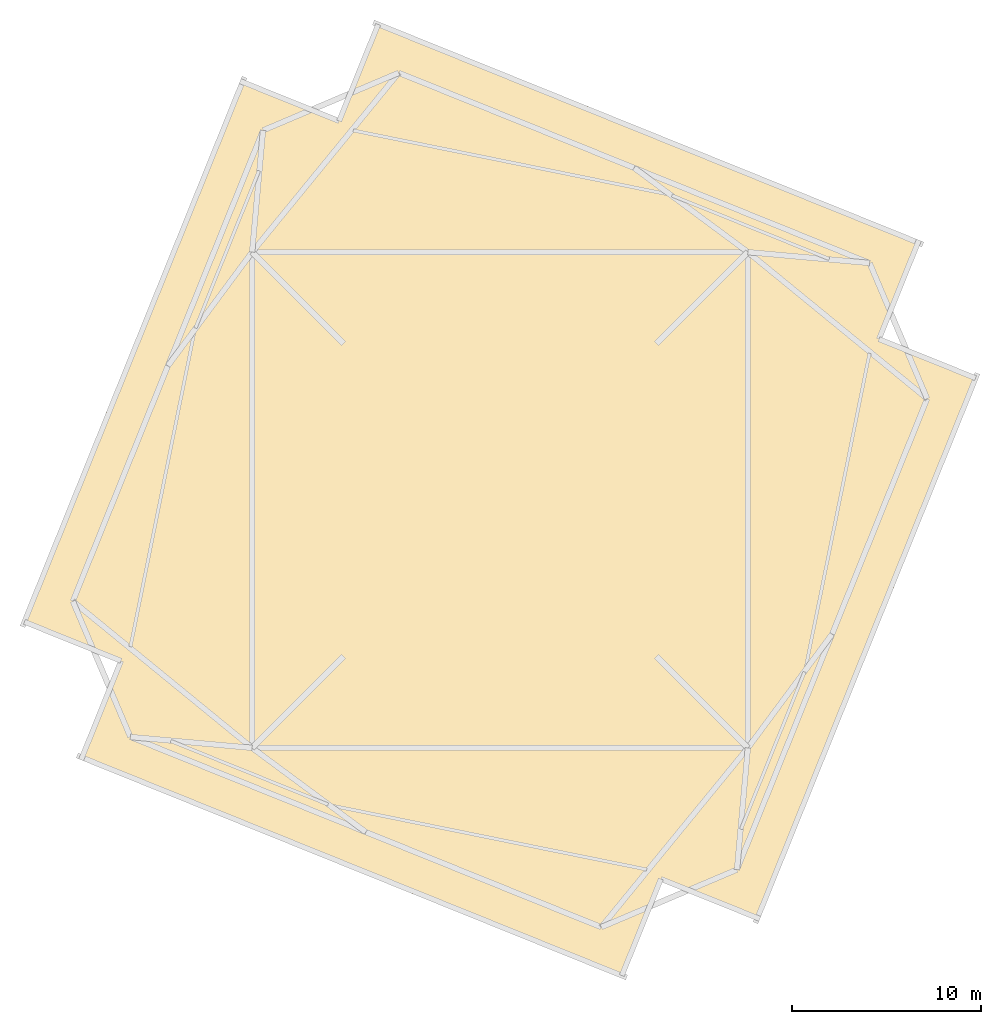
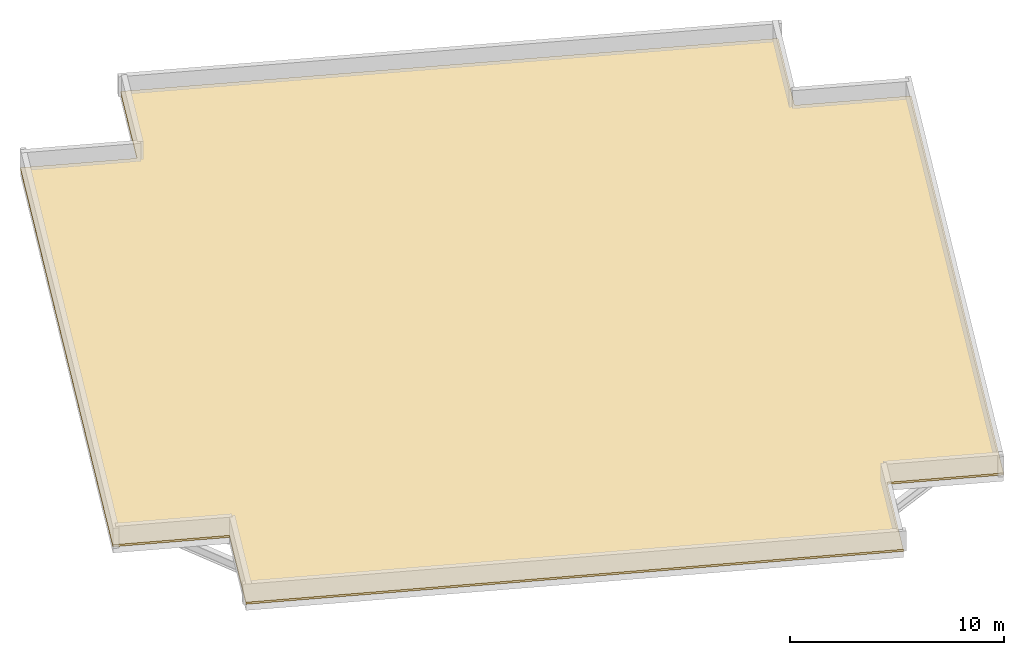
# One storey, part 2 of 2: 1 covering.
"""IFC4 building model written with IfcOpenShell, lengths in metres."""

from ifc_helpers import new_model, si_unit, direction, frame, origin, place, context, subcontext, project, spatial, polyline, outline, extrude, material, layer, layer_set, type_object, element, save


model = new_model("IFC4")

# Units and contexts
model_context = context("Model", 3, precision=1e-05, world=origin(), true_north=direction((0.0, 1.0)))
body_context = subcontext(model_context, "Body", "Model", "MODEL_VIEW")
ifc_project = project(units=[si_unit("LENGTHUNIT", "METRE"), si_unit("AREAUNIT", "SQUARE_METRE"), si_unit("VOLUMEUNIT", "CUBIC_METRE"), si_unit("PLANEANGLEUNIT", "RADIAN"), si_unit("MASSUNIT", "GRAM", prefix="KILO"), si_unit("THERMODYNAMICTEMPERATUREUNIT", "KELVIN")], contexts=[model_context])

# Site, building, storey
site_placement = place(None, origin())
site = spatial("IfcSite", under=ifc_project, at=site_placement, CompositionType="ELEMENT")
building_placement = place(site_placement, origin())
building = spatial("IfcBuilding", under=site, at=building_placement, Name="Kosmvard Interchange Tower", CompositionType="ELEMENT")
storey_placement = place(building_placement, frame((0.0, 0.0, 345.60009765625)))
storey = spatial("IfcBuildingStorey", under=building, at=storey_placement, Name="RF", CompositionType="ELEMENT", Elevation=345.60009765625)

# Covering
ifc_material = material(Name="Insulated EPDM roofing membrane")
ifc_layer = layer(ifc_material, 0.1201171875, Name="Insulated EPDM roofing membrane")
ifc_layer_set = layer_set([ifc_layer], Name="Insulated EPDM roofing membrane")
covering_type = type_object("IfcCoveringType", Name="Insulated EPDM Waterproof Roofing Membrane 120", PredefinedType="ROOFING", material=ifc_layer_set)
covering_placement = place(storey_placement, origin())
element("IfcCovering", 1, at=covering_placement, inside=storey, type_object=covering_type, Name="Lantern Main Roof Membrane Covering", PredefinedType="ROOFING", context=body_context, shape_type="SweptSolid", body=[
    extrude(outline(polyline([(13.66455078125, -22.238037109375), (25.27734375, 6.504638671875), (20.177734375, 8.56494140625), (22.238037109375, 13.66455078125), (-6.504638671875, 25.27734375), (-8.56494140625, 20.177734375), (-13.66455078125, 22.238037109375), (-25.27734375, -6.504638671875), (-20.177734375, -8.56494140625), (-22.238037109375, -13.66455078125), (6.504638671875, -25.27734375), (8.56494140625, -20.177734375), (13.66455078125, -22.238037109375)])), origin(), (0.0, 0.0, 1.0), 0.119873046875),
])

save(model, "model.ifc")
